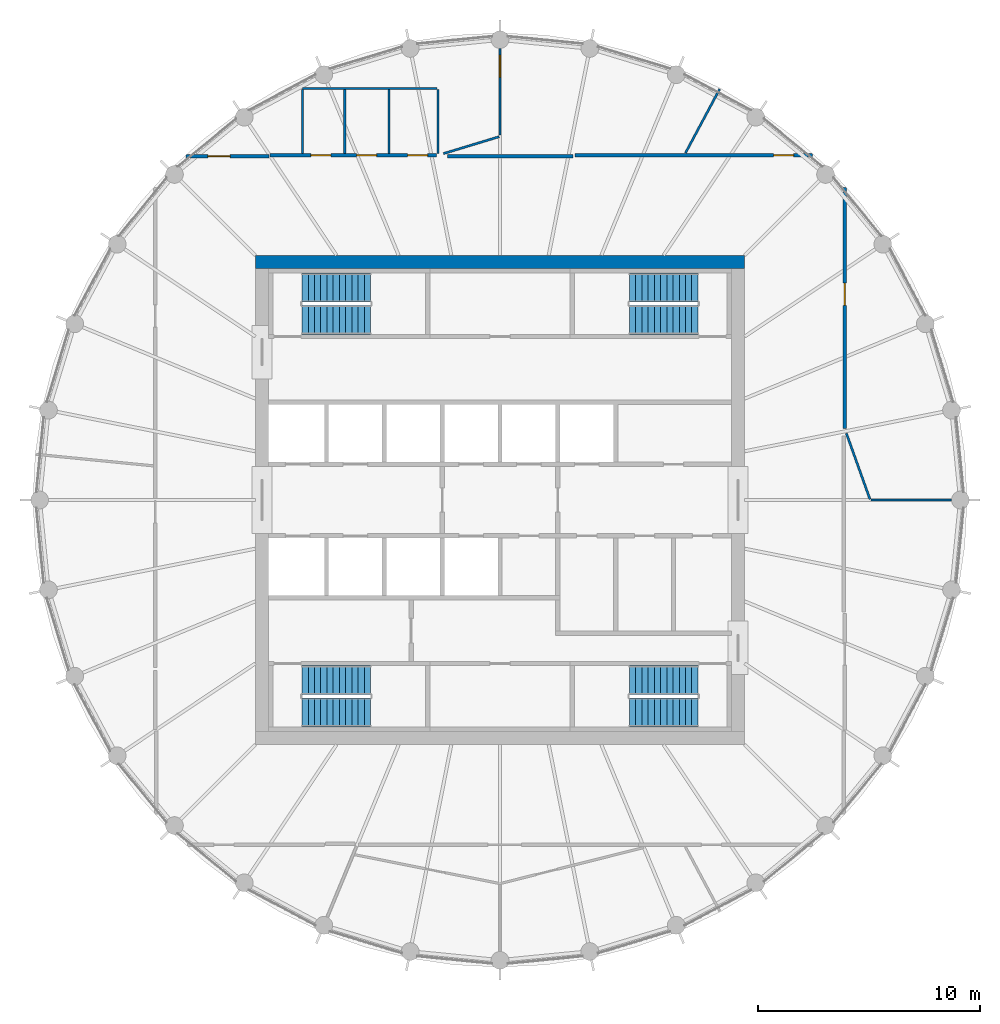
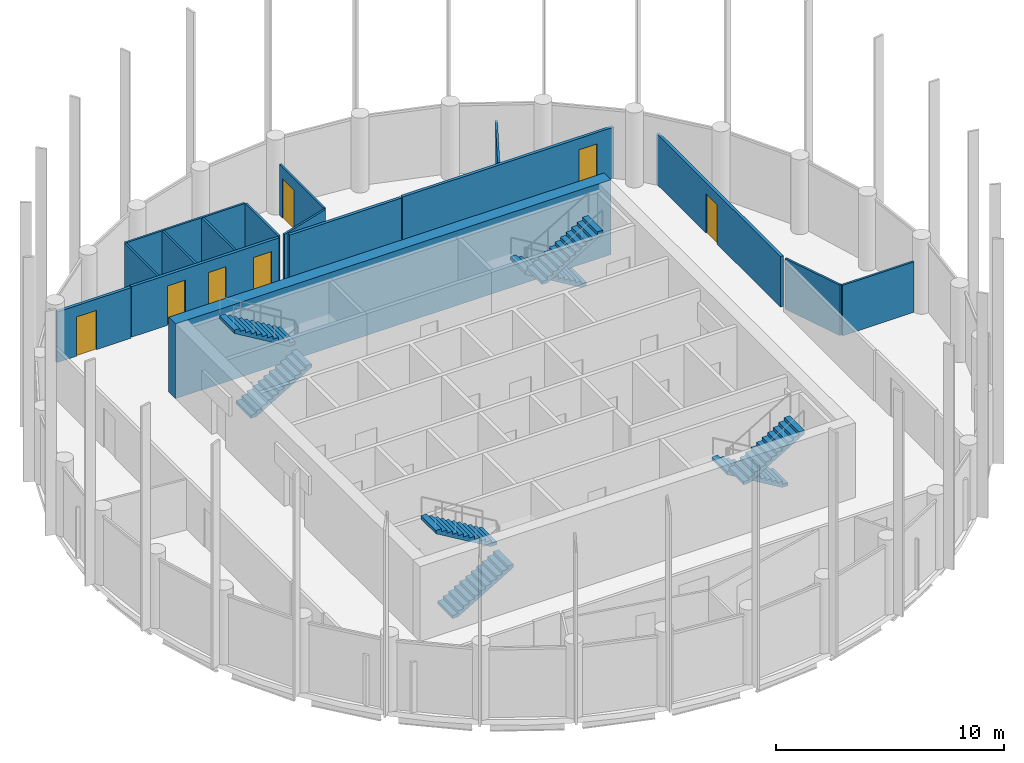
# One storey, part 6 of 7: 16 walls, 8 stair flights, 7 doors, 7 openings, 4 elements without a shape of their own.
"""IFC4 building model written with IfcOpenShell, lengths in metres."""

from ifc_helpers import new_model, si_unit, direction, frame, frame_2d, origin, place, context, subcontext, project, spatial, polyline, rectangle, outline, extrude, material, layer, layer_set, type_object, element, fill, aggregate, save


model = new_model("IFC4")

# Units and contexts
model_context = context("Model", 3, precision=1e-05, world=origin(), true_north=direction((0.0, 1.0)))
body_context = subcontext(model_context, "Body", "Model", "MODEL_VIEW")
ifc_project = project(units=[si_unit("LENGTHUNIT", "METRE"), si_unit("AREAUNIT", "SQUARE_METRE"), si_unit("VOLUMEUNIT", "CUBIC_METRE"), si_unit("PLANEANGLEUNIT", "RADIAN"), si_unit("MASSUNIT", "GRAM", prefix="KILO")], contexts=[model_context])

# Site, building, storey
site_placement = place(None, origin())
site = spatial("IfcSite", under=ifc_project, at=site_placement, CompositionType="ELEMENT")
building_placement = place(site_placement, origin())
building = spatial("IfcBuilding", under=site, at=building_placement, Name="Corvane Civic Tower", CompositionType="ELEMENT")
storey_placement = place(building_placement, frame((0.0, 0.0, 368.5)))
storey = spatial("IfcBuildingStorey", under=building, at=storey_placement, Name="L88", CompositionType="ELEMENT", Elevation=368.5)

# Walls
ifc_material_1 = material(Name="Concrete C40/50", Category="concrete")
ifc_layer_1 = layer(ifc_material_1, 0.60009765625)
ifc_layer_set_1 = layer_set([ifc_layer_1], Name="Concrete C40/50")
wall_type_1 = type_object("IfcWallType", Name="CORE WALL 600 C40/50", PredefinedType="SHEAR", material=ifc_layer_set_1)
wall_1_placement = place(storey_placement, frame((-11.0, 10.699951171875, 0.0), z_axis=(0.0, 0.0, 1.0), x_axis=(1.0, 0.0, 0.0)))
element("IfcWall", 1, at=wall_1_placement, inside=storey, type_object=wall_type_1, Name="W-L88-core-N", PredefinedType="SHEAR", context=body_context, shape_type="SweptSolid", body=[
    extrude(rectangle(XDim=22.0, YDim=0.60009765625, at=frame_2d((11.0, 0.0))), origin(), (0.0, 0.0, 1.0), 4.0),
])
ifc_material_2 = material(Name="Plasterboard")
ifc_layer_2 = layer(ifc_material_2, 0.10009765625)
ifc_layer_set_2 = layer_set([ifc_layer_2], Name="Plasterboard")
wall_type_2 = type_object("IfcWallType", Name="Partition 100 plasterboard on studs", PredefinedType="PARTITIONING", material=ifc_layer_set_2)
wall_2_placement = place(storey_placement, frame((16.680419921875, 0.0, 0.0), z_axis=(0.0, 0.0, 1.0), x_axis=(1.0, 0.0, 0.0)))
element("IfcWall", 2, at=wall_2_placement, inside=storey, type_object=wall_type_2, Name="Partition L88.016", PredefinedType="PARTITIONING", context=body_context, shape_type="SweptSolid", body=[
    extrude(rectangle(XDim=3.609619140625, YDim=0.10009765625, at=frame_2d((1.8046875, 0.0))), origin(), (0.0, 0.0, 1.0), 2.699951171875),
])
wall_3_placement = place(storey_placement, frame((15.572021484375, 2.998779296875, 0.0), z_axis=(0.0, 0.0, 1.0), x_axis=(0.336940282259, -0.941526019922, 0.0)))
element("IfcWall", 3, at=wall_3_placement, inside=storey, type_object=wall_type_2, Name="Partition L88.017", PredefinedType="PARTITIONING", context=body_context, shape_type="SweptSolid", body=[
    extrude(rectangle(XDim=3.149658203125, YDim=0.10009765625, at=frame_2d((1.57470703125, 0.0))), origin(), (0.0, 0.0, 1.0), 2.699951171875),
])
for number, where, z_axis, x_axis, name in (
    (4, (-8.884521484375, 15.574951171875, 0.0), (0.0, 0.0, 1.0), (0.0, 1.0, 0.0), "Partition L88.024"),
    (5, (-6.984619140625, 15.574951171875, 0.0), (0.0, 0.0, 1.0), (0.0, 1.0, 0.0), "Partition L88.025"),
    (6, (-4.984619140625, 15.574951171875, 0.0), (0.0, 0.0, 1.0), (0.0, 1.0, 0.0), "Partition L88.026"),
):
    element("IfcWall", number, at=place(storey_placement, frame(where, z_axis=z_axis, x_axis=x_axis)), inside=storey, type_object=wall_type_2, Name=name, PredefinedType="PARTITIONING", context=body_context, shape_type="SweptSolid", body=[
        extrude(rectangle(XDim=2.875, YDim=0.10009765625, at=frame_2d((1.4375, 0.0))), origin(), (0.0, 0.0, 1.0), 2.699951171875),
    ])
wall_4_placement = place(storey_placement, frame((-2.784423828125, 15.5673828125, 0.0), z_axis=(0.0, 0.0, 1.0), x_axis=(0.0, 1.0, 0.0)))
element("IfcWall", 7, at=wall_4_placement, inside=storey, type_object=wall_type_2, Name="Partition L88.027", PredefinedType="PARTITIONING", context=body_context, shape_type="SweptSolid", body=[
    extrude(rectangle(XDim=2.882568359375, YDim=0.10009765625, at=frame_2d((1.44140625, 0.0))), origin(), (0.0, 0.0, 1.0), 2.699951171875),
])
wall_5_placement = place(storey_placement, frame((-2.54443359375, 15.57275390625, 0.0), z_axis=(0.0, 0.0, 1.0), x_axis=(0.956927243367, 0.290327833494, 0.0)))
element("IfcWall", 8, at=wall_5_placement, inside=storey, type_object=wall_type_2, Name="Partition L88.028", PredefinedType="PARTITIONING", context=body_context, shape_type="SweptSolid", body=[
    extrude(rectangle(XDim=2.6220703125, YDim=0.10009765625, at=frame_2d((1.31103515625, 0.0))), origin(), (0.0, 0.0, 1.0), 2.699951171875),
])
wall_6_placement = place(storey_placement, frame((8.337646484375, 15.5986328125, 0.0), z_axis=(0.0, 0.0, 1.0), x_axis=(0.471438475103, 0.881898953505, 0.0)))
element("IfcWall", 9, at=wall_6_placement, inside=storey, type_object=wall_type_2, Name="Partition L88.029", PredefinedType="PARTITIONING", context=body_context, shape_type="SweptSolid", body=[
    extrude(rectangle(XDim=3.262939453125, YDim=0.10009765625, at=frame_2d((1.63134765625, 0.0))), origin(), (0.0, 0.0, 1.0), 2.699951171875),
])

# Wall, opening, door
wall_7_placement = place(storey_placement, frame((0.0, 16.410888671875, 0.0), z_axis=(0.0, 0.0, 1.0), x_axis=(0.0, 1.0, 0.0)))
wall_7 = element("IfcWall", 10, at=wall_7_placement, inside=storey, type_object=wall_type_2, Name="Partition L88.030", PredefinedType="PARTITIONING", context=body_context, shape_type="SweptSolid", body=[
    extrude(rectangle(XDim=3.879150390625, YDim=0.10009765625, at=frame_2d((1.939453125, 0.0))), origin(), (0.0, 0.0, 1.0), 2.699951171875),
])
opening_1_placement = place(wall_7_placement, frame((2.5947265625, 0.0, 0.0)))
opening_1 = element("IfcOpeningElement", 11, at=opening_1_placement, cuts=wall_7, Name="Opening L88.005", PredefinedType="OPENING", context=body_context, shape_type="SweptSolid", body=[
    extrude(rectangle(XDim=1.0, YDim=2.10009765625, at=frame_2d((0.5, 1.050048828125))), frame((0.0, 0.06005859375, 0.0), z_axis=(0.0, -1.0, 0.0), x_axis=(1.0, 0.0, 0.0)), (0.0, 0.0, 1.0), 0.1201171875),
])
ifc_material_3 = material(Name="Timber", Category="wood")
door_type_1 = type_object("IfcDoorType", Name="Single door 1000", OperationType="NOTDEFINED", PredefinedType="DOOR", material=ifc_material_3)
door_1_placement = place(opening_1_placement, origin())
door_1 = element("IfcDoor", 12, at=door_1_placement, inside=storey, type_object=door_type_1, Name="Door L88.005", OperationType="SINGLE_SWING_LEFT", OverallHeight=2.10009765625, OverallWidth=1.0, PredefinedType="DOOR", context=body_context, shape_type="SweptSolid", body=[
    extrude(rectangle(XDim=1.0, YDim=2.10009765625, at=frame_2d((0.5, 1.050048828125))), frame((0.0, 0.02490234375, 0.0), z_axis=(0.0, -1.0, 0.0), x_axis=(1.0, 0.0, 0.0)), (0.0, 0.0, 1.0), 0.050048828125),
])
fill(opening_1, door_1)

# Wall
wall_8_placement = place(storey_placement, frame((-8.884521484375, 18.5, 0.0), z_axis=(0.0, 0.0, 1.0), x_axis=(1.0, 0.0, 0.0)))
element("IfcWall", 13, at=wall_8_placement, inside=storey, type_object=wall_type_2, Name="Partition L88.031", PredefinedType="PARTITIONING", context=body_context, shape_type="SweptSolid", body=[
    extrude(rectangle(XDim=6.050048828125, YDim=0.10009765625, at=frame_2d((3.02490234375, 0.0))), origin(), (0.0, 0.0, 1.0), 2.699951171875),
])

# Wall, opening, door
ifc_material_4 = material(Name="Plasterboard")
ifc_layer_3 = layer(ifc_material_4, 0.14990234375)
ifc_layer_set_3 = layer_set([ifc_layer_3], Name="Plasterboard")
wall_type_3 = type_object("IfcWallType", Name="Tenancy wall 150 EI 60", PredefinedType="PARTITIONING", material=ifc_layer_set_3)
wall_9_placement = place(storey_placement, frame((15.5, 3.213134765625, 0.0), z_axis=(0.0, 0.0, 1.0), x_axis=(0.0, 1.0, 0.0)))
wall_9 = element("IfcWall", 14, at=wall_9_placement, inside=storey, type_object=wall_type_3, Name="Partition L88.019", PredefinedType="PARTITIONING", context=body_context, shape_type="SweptSolid", body=[
    extrude(rectangle(XDim=10.843994140625, YDim=0.14990234375, at=frame_2d((5.421875, 0.0))), origin(), (0.0, 0.0, 1.0), 2.699951171875),
])
opening_2_placement = place(wall_9_placement, frame((5.536865234375, 0.0, 0.0)))
opening_2 = element("IfcOpeningElement", 15, at=opening_2_placement, cuts=wall_9, Name="Opening L88.010", PredefinedType="OPENING", context=body_context, shape_type="SweptSolid", body=[
    extrude(rectangle(XDim=1.0, YDim=2.10009765625, at=frame_2d((0.5, 1.050048828125))), frame((0.0, 0.0849609375, 0.0), z_axis=(0.0, -1.0, 0.0), x_axis=(1.0, 0.0, 0.0)), (0.0, 0.0, 1.0), 0.169921875),
])
ifc_material_5 = material(Name="Steel and timber", Category="steel")
door_type_2 = type_object("IfcDoorType", Name="Fire door FD30S 1000", OperationType="NOTDEFINED", PredefinedType="DOOR", material=ifc_material_5)
door_2_placement = place(opening_2_placement, frame((1.0, 0.0, 0.0), z_axis=(0.0, 0.0, 1.0), x_axis=(-1.0, 0.0, 0.0)))
door_2 = element("IfcDoor", 16, at=door_2_placement, inside=storey, type_object=door_type_2, Name="Door L88.010", OperationType="SINGLE_SWING_RIGHT", OverallHeight=2.10009765625, OverallWidth=1.0, PredefinedType="DOOR", context=body_context, shape_type="SweptSolid", body=[
    extrude(rectangle(XDim=1.0, YDim=2.10009765625, at=frame_2d((0.5, 1.050048828125))), frame((0.0, 0.02490234375, 0.0), z_axis=(0.0, -1.0, 0.0), x_axis=(1.0, 0.0, 0.0)), (0.0, 0.0, 1.0), 0.050048828125),
])
fill(opening_2, door_2)

wall_10_placement = place(storey_placement, frame((-14.1123046875, 15.449951171875, 0.0), z_axis=(0.0, 0.0, 1.0), x_axis=(1.0, 0.0, 0.0)))
wall_10 = element("IfcWall", 17, at=wall_10_placement, inside=storey, type_object=wall_type_3, Name="Partition L88.020", PredefinedType="PARTITIONING", context=body_context, shape_type="SweptSolid", body=[
    extrude(rectangle(XDim=3.7314453125, YDim=0.14990234375, at=frame_2d((1.86572265625, 0.0))), origin(), (0.0, 0.0, 1.0), 2.699951171875),
])
opening_3_placement = place(wall_10_placement, frame((0.9814453125, 0.0, 0.0)))
opening_3 = element("IfcOpeningElement", 18, at=opening_3_placement, cuts=wall_10, Name="Opening L88.004", PredefinedType="OPENING", context=body_context, shape_type="SweptSolid", body=[
    extrude(rectangle(XDim=1.0, YDim=2.10009765625, at=frame_2d((0.5, 1.050048828125))), frame((0.0, 0.0849609375, 0.0), z_axis=(0.0, -1.0, 0.0), x_axis=(1.0, 0.0, 0.0)), (0.0, 0.0, 1.0), 0.169921875),
])
door_3_placement = place(opening_3_placement, origin())
door_3 = element("IfcDoor", 19, at=door_3_placement, inside=storey, type_object=door_type_2, Name="Door L88.004", OperationType="SINGLE_SWING_RIGHT", OverallHeight=2.10009765625, OverallWidth=1.0, PredefinedType="DOOR", context=body_context, shape_type="SweptSolid", body=[
    extrude(rectangle(XDim=1.0, YDim=2.10009765625, at=frame_2d((0.5, 1.050048828125))), frame((0.0, 0.02490234375, 0.0), z_axis=(0.0, -1.0, 0.0), x_axis=(1.0, 0.0, 0.0)), (0.0, 0.0, 1.0), 0.050048828125),
])
fill(opening_3, door_3)

# Wall
wall_11_placement = place(storey_placement, frame((-2.370361328125, 15.449951171875, 0.0), z_axis=(0.0, 0.0, 1.0), x_axis=(1.0, 0.0, 0.0)))
element("IfcWall", 20, at=wall_11_placement, inside=storey, type_object=wall_type_3, Name="Partition L88.021", PredefinedType="PARTITIONING", context=body_context, shape_type="SweptSolid", body=[
    extrude(rectangle(XDim=5.66015625, YDim=0.14990234375, at=frame_2d((2.830078125, 0.0))), origin(), (0.0, 0.0, 1.0), 2.699951171875),
])

# Wall, openings, doors
wall_12_placement = place(storey_placement, frame((-10.330810546875, 15.5, 0.0), z_axis=(0.0, 0.0, 1.0), x_axis=(1.0, 0.0, 0.0)))
wall_12 = element("IfcWall", 21, at=wall_12_placement, inside=storey, type_object=wall_type_3, Name="Partition L88.022", PredefinedType="PARTITIONING", context=body_context, shape_type="SweptSolid", body=[
    extrude(rectangle(XDim=7.47119140625, YDim=0.14990234375, at=frame_2d((3.735595703125, 0.0))), origin(), (0.0, 0.0, 1.0), 2.699951171875),
])
opening_4_placement = place(wall_12_placement, frame((6.174072265625, 0.0, 0.0)))
opening_4 = element("IfcOpeningElement", 22, at=opening_4_placement, cuts=wall_12, Name="Opening L88.006", PredefinedType="OPENING", context=body_context, shape_type="SweptSolid", body=[
    extrude(rectangle(XDim=0.89990234375, YDim=2.10009765625, at=frame_2d((0.449951171875, 1.050048828125))), frame((0.0, 0.0849609375, 0.0), z_axis=(0.0, -1.0, 0.0), x_axis=(1.0, 0.0, 0.0)), (0.0, 0.0, 1.0), 0.169921875),
])
opening_5_placement = place(wall_12_placement, frame((3.8837890625, 0.0, 0.0)))
opening_5 = element("IfcOpeningElement", 23, at=opening_5_placement, cuts=wall_12, Name="Opening L88.007", PredefinedType="OPENING", context=body_context, shape_type="SweptSolid", body=[
    extrude(rectangle(XDim=0.89990234375, YDim=2.10009765625, at=frame_2d((0.449951171875, 1.050048828125))), frame((0.0, 0.0849609375, 0.0), z_axis=(0.0, -1.0, 0.0), x_axis=(1.0, 0.0, 0.0)), (0.0, 0.0, 1.0), 0.169921875),
])
opening_6_placement = place(wall_12_placement, frame((1.822509765625, 0.0, 0.0)))
opening_6 = element("IfcOpeningElement", 24, at=opening_6_placement, cuts=wall_12, Name="Opening L88.008", PredefinedType="OPENING", context=body_context, shape_type="SweptSolid", body=[
    extrude(rectangle(XDim=0.89990234375, YDim=2.10009765625, at=frame_2d((0.449951171875, 1.050048828125))), frame((0.0, 0.0849609375, 0.0), z_axis=(0.0, -1.0, 0.0), x_axis=(1.0, 0.0, 0.0)), (0.0, 0.0, 1.0), 0.169921875),
])
ifc_material_6 = material(Name="Steel and timber", Category="steel")
door_type_3 = type_object("IfcDoorType", Name="Fire door FD30S 900", OperationType="NOTDEFINED", PredefinedType="DOOR", material=ifc_material_6)
door_4_placement = place(opening_4_placement, origin())
door_4 = element("IfcDoor", 25, at=door_4_placement, inside=storey, type_object=door_type_3, Name="Door L88.006", OperationType="SINGLE_SWING_LEFT", OverallHeight=2.10009765625, OverallWidth=0.89990234375, PredefinedType="DOOR", context=body_context, shape_type="SweptSolid", body=[
    extrude(rectangle(XDim=0.89990234375, YDim=2.10009765625, at=frame_2d((0.449951171875, 1.050048828125))), frame((0.0, 0.02490234375, 0.0), z_axis=(0.0, -1.0, 0.0), x_axis=(1.0, 0.0, 0.0)), (0.0, 0.0, 1.0), 0.050048828125),
])
fill(opening_4, door_4)
door_5_placement = place(opening_5_placement, origin())
door_5 = element("IfcDoor", 26, at=door_5_placement, inside=storey, type_object=door_type_3, Name="Door L88.007", OperationType="SINGLE_SWING_RIGHT", OverallHeight=2.10009765625, OverallWidth=0.89990234375, PredefinedType="DOOR", context=body_context, shape_type="SweptSolid", body=[
    extrude(rectangle(XDim=0.89990234375, YDim=2.10009765625, at=frame_2d((0.449951171875, 1.050048828125))), frame((0.0, 0.02490234375, 0.0), z_axis=(0.0, -1.0, 0.0), x_axis=(1.0, 0.0, 0.0)), (0.0, 0.0, 1.0), 0.050048828125),
])
fill(opening_5, door_5)
door_6_placement = place(opening_6_placement, origin())
door_6 = element("IfcDoor", 27, at=door_6_placement, inside=storey, type_object=door_type_3, Name="Door L88.008", OperationType="SINGLE_SWING_LEFT", OverallHeight=2.10009765625, OverallWidth=0.89990234375, PredefinedType="DOOR", context=body_context, shape_type="SweptSolid", body=[
    extrude(rectangle(XDim=0.89990234375, YDim=2.10009765625, at=frame_2d((0.449951171875, 1.050048828125))), frame((0.0, 0.02490234375, 0.0), z_axis=(0.0, -1.0, 0.0), x_axis=(1.0, 0.0, 0.0)), (0.0, 0.0, 1.0), 0.050048828125),
])
fill(opening_6, door_6)

# Wall, opening, door
wall_13_placement = place(storey_placement, frame((3.3720703125, 15.5, 0.0), z_axis=(0.0, 0.0, 1.0), x_axis=(1.0, 0.0, 0.0)))
wall_13 = element("IfcWall", 28, at=wall_13_placement, inside=storey, type_object=wall_type_3, Name="Partition L88.023", PredefinedType="PARTITIONING", context=body_context, shape_type="SweptSolid", body=[
    extrude(rectangle(XDim=10.68505859375, YDim=0.14990234375, at=frame_2d((5.342529296875, 0.0))), origin(), (0.0, 0.0, 1.0), 2.699951171875),
])
opening_7_placement = place(wall_13_placement, frame((8.92431640625, 0.0, 0.0)))
opening_7 = element("IfcOpeningElement", 29, at=opening_7_placement, cuts=wall_13, Name="Opening L88.009", PredefinedType="OPENING", context=body_context, shape_type="SweptSolid", body=[
    extrude(rectangle(XDim=0.89990234375, YDim=2.10009765625, at=frame_2d((0.449951171875, 1.050048828125))), frame((0.0, 0.0849609375, 0.0), z_axis=(0.0, -1.0, 0.0), x_axis=(1.0, 0.0, 0.0)), (0.0, 0.0, 1.0), 0.169921875),
])
door_7_placement = place(opening_7_placement, origin())
door_7 = element("IfcDoor", 30, at=door_7_placement, inside=storey, type_object=door_type_3, Name="Door L88.009", OperationType="SINGLE_SWING_LEFT", OverallHeight=2.10009765625, OverallWidth=0.89990234375, PredefinedType="DOOR", context=body_context, shape_type="SweptSolid", body=[
    extrude(rectangle(XDim=0.89990234375, YDim=2.10009765625, at=frame_2d((0.449951171875, 1.050048828125))), frame((0.0, 0.02490234375, 0.0), z_axis=(0.0, -1.0, 0.0), x_axis=(1.0, 0.0, 0.0)), (0.0, 0.0, 1.0), 0.050048828125),
])
fill(opening_7, door_7)

# Stair, stair flights
ifc_material_7 = material(Name="Concrete C40/50", Category="concrete")
stair_type = type_object("IfcStairType", Name="ST-STAIR-HALFTURN", PredefinedType="HALF_TURN_STAIR", material=ifc_material_7)
stair_1_placement = place(storey_placement, origin())
stair_1 = element("IfcStair", 31, at=stair_1_placement, inside=storey, type_object=stair_type, Name="L88 Exit stair ST1", PredefinedType="HALF_TURN_STAIR")
ifc_material_8 = material(Name="Concrete C40/50", Category="concrete")
stair_flight_type = type_object("IfcStairFlightType", Name="ST-FLIGHT-RC", PredefinedType="STRAIGHT", material=ifc_material_8)
stair_flight_1_placement = place(storey_placement, frame((8.89990234375, 9.550048828125, 0.0), z_axis=(0.0, 0.0, 1.0), x_axis=(-1.0, 0.0, 0.0)))
stair_flight_1 = element("IfcStairFlight", 32, at=stair_flight_1_placement, type_object=stair_flight_type, Name="ST1 flight 1", NumberOfRisers=12, NumberOfTreads=11, PredefinedType="STRAIGHT", RiserHeight=0.166666667, TreadLength=0.28, context=body_context, shape_type="SweptSolid", body=[
    extrude(outline(polyline([(0.0, 0.0), (0.0, 0.166748046875), (0.280029296875, 0.166748046875), (0.280029296875, 0.333251953125), (0.56005859375, 0.333251953125), (0.56005859375, 0.5), (0.840087890625, 0.5), (0.840087890625, 0.666748046875), (1.1201171875, 0.666748046875), (1.1201171875, 0.833251953125), (1.39990234375, 0.833251953125), (1.39990234375, 1.0), (1.679931640625, 1.0), (1.679931640625, 1.166748046875), (1.9599609375, 1.166748046875), (1.9599609375, 1.333251953125), (2.239990234375, 1.333251953125), (2.239990234375, 1.5), (2.52001953125, 1.5), (2.52001953125, 1.666748046875), (2.800048828125, 1.666748046875), (2.800048828125, 1.833251953125), (3.080078125, 1.833251953125), (3.080078125, 2.0), (3.080078125, 1.658935546875), (0.29296875, 0.0), (0.0, 0.0)])), frame((0.0, 0.64990234375, 0.0), z_axis=(0.0, -1.0, 0.0), x_axis=(1.0, 0.0, 0.0)), (0.0, 0.0, 1.0), 1.300048828125),
])
stair_flight_2_placement = place(storey_placement, frame((5.820068359375, 8.10009765625, 2.0), z_axis=(0.0, 0.0, 1.0), x_axis=(1.0, 0.0, 0.0)))
stair_flight_2 = element("IfcStairFlight", 33, at=stair_flight_2_placement, type_object=stair_flight_type, Name="ST1 flight 2", NumberOfRisers=12, NumberOfTreads=11, PredefinedType="STRAIGHT", RiserHeight=0.166666667, TreadLength=0.28, context=body_context, shape_type="SweptSolid", body=[
    extrude(outline(polyline([(0.0, 0.0), (0.0, 0.166748046875), (0.280029296875, 0.166748046875), (0.280029296875, 0.333251953125), (0.56005859375, 0.333251953125), (0.56005859375, 0.5), (0.840087890625, 0.5), (0.840087890625, 0.666748046875), (1.1201171875, 0.666748046875), (1.1201171875, 0.833251953125), (1.39990234375, 0.833251953125), (1.39990234375, 1.0), (1.679931640625, 1.0), (1.679931640625, 1.166748046875), (1.9599609375, 1.166748046875), (1.9599609375, 1.333251953125), (2.239990234375, 1.333251953125), (2.239990234375, 1.5), (2.52001953125, 1.5), (2.52001953125, 1.666748046875), (2.800048828125, 1.666748046875), (2.800048828125, 1.833251953125), (3.080078125, 1.833251953125), (3.080078125, 2.0), (3.080078125, 1.658935546875), (0.29296875, 0.0), (0.0, 0.0)])), frame((0.0, 0.64990234375, 0.0), z_axis=(0.0, -1.0, 0.0), x_axis=(1.0, 0.0, 0.0)), (0.0, 0.0, 1.0), 1.300048828125),
])
aggregate(stair_1, [stair_flight_1, stair_flight_2])

stair_2_placement = place(storey_placement, origin())
stair_2 = element("IfcStair", 34, at=stair_2_placement, inside=storey, type_object=stair_type, Name="L88 Exit stair ST2", PredefinedType="HALF_TURN_STAIR")
stair_flight_3_placement = place(storey_placement, frame((8.89990234375, -8.10009765625, 0.0), z_axis=(0.0, 0.0, 1.0), x_axis=(-1.0, 0.0, 0.0)))
stair_flight_3 = element("IfcStairFlight", 35, at=stair_flight_3_placement, type_object=stair_flight_type, Name="ST2 flight 1", NumberOfRisers=12, NumberOfTreads=11, PredefinedType="STRAIGHT", RiserHeight=0.166666667, TreadLength=0.28, context=body_context, shape_type="SweptSolid", body=[
    extrude(outline(polyline([(0.0, 0.0), (0.0, 0.166748046875), (0.280029296875, 0.166748046875), (0.280029296875, 0.333251953125), (0.56005859375, 0.333251953125), (0.56005859375, 0.5), (0.840087890625, 0.5), (0.840087890625, 0.666748046875), (1.1201171875, 0.666748046875), (1.1201171875, 0.833251953125), (1.39990234375, 0.833251953125), (1.39990234375, 1.0), (1.679931640625, 1.0), (1.679931640625, 1.166748046875), (1.9599609375, 1.166748046875), (1.9599609375, 1.333251953125), (2.239990234375, 1.333251953125), (2.239990234375, 1.5), (2.52001953125, 1.5), (2.52001953125, 1.666748046875), (2.800048828125, 1.666748046875), (2.800048828125, 1.833251953125), (3.080078125, 1.833251953125), (3.080078125, 2.0), (3.080078125, 1.658935546875), (0.29296875, 0.0), (0.0, 0.0)])), frame((0.0, 0.64990234375, 0.0), z_axis=(0.0, -1.0, 0.0), x_axis=(1.0, 0.0, 0.0)), (0.0, 0.0, 1.0), 1.300048828125),
])
stair_flight_4_placement = place(storey_placement, frame((5.820068359375, -9.550048828125, 2.0), z_axis=(0.0, 0.0, 1.0), x_axis=(1.0, 0.0, 0.0)))
stair_flight_4 = element("IfcStairFlight", 36, at=stair_flight_4_placement, type_object=stair_flight_type, Name="ST2 flight 2", NumberOfRisers=12, NumberOfTreads=11, PredefinedType="STRAIGHT", RiserHeight=0.166666667, TreadLength=0.28, context=body_context, shape_type="SweptSolid", body=[
    extrude(outline(polyline([(0.0, 0.0), (0.0, 0.166748046875), (0.280029296875, 0.166748046875), (0.280029296875, 0.333251953125), (0.56005859375, 0.333251953125), (0.56005859375, 0.5), (0.840087890625, 0.5), (0.840087890625, 0.666748046875), (1.1201171875, 0.666748046875), (1.1201171875, 0.833251953125), (1.39990234375, 0.833251953125), (1.39990234375, 1.0), (1.679931640625, 1.0), (1.679931640625, 1.166748046875), (1.9599609375, 1.166748046875), (1.9599609375, 1.333251953125), (2.239990234375, 1.333251953125), (2.239990234375, 1.5), (2.52001953125, 1.5), (2.52001953125, 1.666748046875), (2.800048828125, 1.666748046875), (2.800048828125, 1.833251953125), (3.080078125, 1.833251953125), (3.080078125, 2.0), (3.080078125, 1.658935546875), (0.29296875, 0.0), (0.0, 0.0)])), frame((0.0, 0.64990234375, 0.0), z_axis=(0.0, -1.0, 0.0), x_axis=(1.0, 0.0, 0.0)), (0.0, 0.0, 1.0), 1.300048828125),
])
aggregate(stair_2, [stair_flight_3, stair_flight_4])

stair_3_placement = place(storey_placement, origin())
stair_3 = element("IfcStair", 37, at=stair_3_placement, inside=storey, type_object=stair_type, Name="L88 Exit stair ST3", PredefinedType="HALF_TURN_STAIR")
stair_flight_5_placement = place(storey_placement, frame((-8.89990234375, -9.550048828125, 0.0), z_axis=(0.0, 0.0, 1.0), x_axis=(1.0, 0.0, 0.0)))
stair_flight_5 = element("IfcStairFlight", 38, at=stair_flight_5_placement, type_object=stair_flight_type, Name="ST3 flight 1", NumberOfRisers=12, NumberOfTreads=11, PredefinedType="STRAIGHT", RiserHeight=0.166666667, TreadLength=0.28, context=body_context, shape_type="SweptSolid", body=[
    extrude(outline(polyline([(0.0, 0.0), (0.0, 0.166748046875), (0.280029296875, 0.166748046875), (0.280029296875, 0.333251953125), (0.56005859375, 0.333251953125), (0.56005859375, 0.5), (0.840087890625, 0.5), (0.840087890625, 0.666748046875), (1.1201171875, 0.666748046875), (1.1201171875, 0.833251953125), (1.39990234375, 0.833251953125), (1.39990234375, 1.0), (1.679931640625, 1.0), (1.679931640625, 1.166748046875), (1.9599609375, 1.166748046875), (1.9599609375, 1.333251953125), (2.239990234375, 1.333251953125), (2.239990234375, 1.5), (2.52001953125, 1.5), (2.52001953125, 1.666748046875), (2.800048828125, 1.666748046875), (2.800048828125, 1.833251953125), (3.080078125, 1.833251953125), (3.080078125, 2.0), (3.080078125, 1.658935546875), (0.29296875, 0.0), (0.0, 0.0)])), frame((0.0, 0.64990234375, 0.0), z_axis=(0.0, -1.0, 0.0), x_axis=(1.0, 0.0, 0.0)), (0.0, 0.0, 1.0), 1.300048828125),
])
stair_flight_6_placement = place(storey_placement, frame((-5.820068359375, -8.10009765625, 2.0), z_axis=(0.0, 0.0, 1.0), x_axis=(-1.0, 0.0, 0.0)))
stair_flight_6 = element("IfcStairFlight", 39, at=stair_flight_6_placement, type_object=stair_flight_type, Name="ST3 flight 2", NumberOfRisers=12, NumberOfTreads=11, PredefinedType="STRAIGHT", RiserHeight=0.166666667, TreadLength=0.28, context=body_context, shape_type="SweptSolid", body=[
    extrude(outline(polyline([(0.0, 0.0), (0.0, 0.166748046875), (0.280029296875, 0.166748046875), (0.280029296875, 0.333251953125), (0.56005859375, 0.333251953125), (0.56005859375, 0.5), (0.840087890625, 0.5), (0.840087890625, 0.666748046875), (1.1201171875, 0.666748046875), (1.1201171875, 0.833251953125), (1.39990234375, 0.833251953125), (1.39990234375, 1.0), (1.679931640625, 1.0), (1.679931640625, 1.166748046875), (1.9599609375, 1.166748046875), (1.9599609375, 1.333251953125), (2.239990234375, 1.333251953125), (2.239990234375, 1.5), (2.52001953125, 1.5), (2.52001953125, 1.666748046875), (2.800048828125, 1.666748046875), (2.800048828125, 1.833251953125), (3.080078125, 1.833251953125), (3.080078125, 2.0), (3.080078125, 1.658935546875), (0.29296875, 0.0), (0.0, 0.0)])), frame((0.0, 0.64990234375, 0.0), z_axis=(0.0, -1.0, 0.0), x_axis=(1.0, 0.0, 0.0)), (0.0, 0.0, 1.0), 1.300048828125),
])
aggregate(stair_3, [stair_flight_5, stair_flight_6])

stair_4_placement = place(storey_placement, origin())
stair_4 = element("IfcStair", 40, at=stair_4_placement, inside=storey, type_object=stair_type, Name="L88 Exit stair ST4", PredefinedType="HALF_TURN_STAIR")
stair_flight_7_placement = place(storey_placement, frame((-8.89990234375, 8.10009765625, 0.0), z_axis=(0.0, 0.0, 1.0), x_axis=(1.0, 0.0, 0.0)))
stair_flight_7 = element("IfcStairFlight", 41, at=stair_flight_7_placement, type_object=stair_flight_type, Name="ST4 flight 1", NumberOfRisers=12, NumberOfTreads=11, PredefinedType="STRAIGHT", RiserHeight=0.166666667, TreadLength=0.28, context=body_context, shape_type="SweptSolid", body=[
    extrude(outline(polyline([(0.0, 0.0), (0.0, 0.166748046875), (0.280029296875, 0.166748046875), (0.280029296875, 0.333251953125), (0.56005859375, 0.333251953125), (0.56005859375, 0.5), (0.840087890625, 0.5), (0.840087890625, 0.666748046875), (1.1201171875, 0.666748046875), (1.1201171875, 0.833251953125), (1.39990234375, 0.833251953125), (1.39990234375, 1.0), (1.679931640625, 1.0), (1.679931640625, 1.166748046875), (1.9599609375, 1.166748046875), (1.9599609375, 1.333251953125), (2.239990234375, 1.333251953125), (2.239990234375, 1.5), (2.52001953125, 1.5), (2.52001953125, 1.666748046875), (2.800048828125, 1.666748046875), (2.800048828125, 1.833251953125), (3.080078125, 1.833251953125), (3.080078125, 2.0), (3.080078125, 1.658935546875), (0.29296875, 0.0), (0.0, 0.0)])), frame((0.0, 0.64990234375, 0.0), z_axis=(0.0, -1.0, 0.0), x_axis=(1.0, 0.0, 0.0)), (0.0, 0.0, 1.0), 1.300048828125),
])
stair_flight_8_placement = place(storey_placement, frame((-5.820068359375, 9.550048828125, 2.0), z_axis=(0.0, 0.0, 1.0), x_axis=(-1.0, 0.0, 0.0)))
stair_flight_8 = element("IfcStairFlight", 42, at=stair_flight_8_placement, type_object=stair_flight_type, Name="ST4 flight 2", NumberOfRisers=12, NumberOfTreads=11, PredefinedType="STRAIGHT", RiserHeight=0.166666667, TreadLength=0.28, context=body_context, shape_type="SweptSolid", body=[
    extrude(outline(polyline([(0.0, 0.0), (0.0, 0.166748046875), (0.280029296875, 0.166748046875), (0.280029296875, 0.333251953125), (0.56005859375, 0.333251953125), (0.56005859375, 0.5), (0.840087890625, 0.5), (0.840087890625, 0.666748046875), (1.1201171875, 0.666748046875), (1.1201171875, 0.833251953125), (1.39990234375, 0.833251953125), (1.39990234375, 1.0), (1.679931640625, 1.0), (1.679931640625, 1.166748046875), (1.9599609375, 1.166748046875), (1.9599609375, 1.333251953125), (2.239990234375, 1.333251953125), (2.239990234375, 1.5), (2.52001953125, 1.5), (2.52001953125, 1.666748046875), (2.800048828125, 1.666748046875), (2.800048828125, 1.833251953125), (3.080078125, 1.833251953125), (3.080078125, 2.0), (3.080078125, 1.658935546875), (0.29296875, 0.0), (0.0, 0.0)])), frame((0.0, 0.64990234375, 0.0), z_axis=(0.0, -1.0, 0.0), x_axis=(1.0, 0.0, 0.0)), (0.0, 0.0, 1.0), 1.300048828125),
])
aggregate(stair_4, [stair_flight_7, stair_flight_8])

save(model, "model.ifc")
